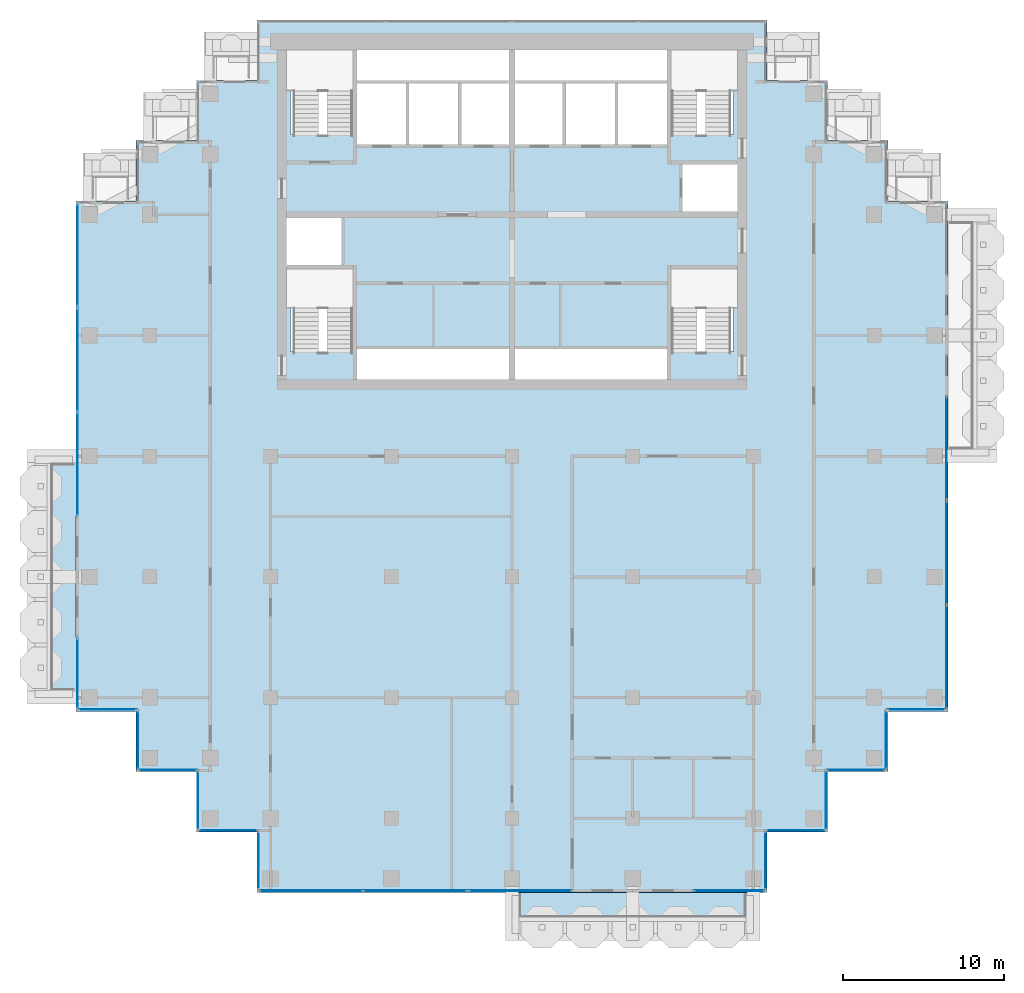
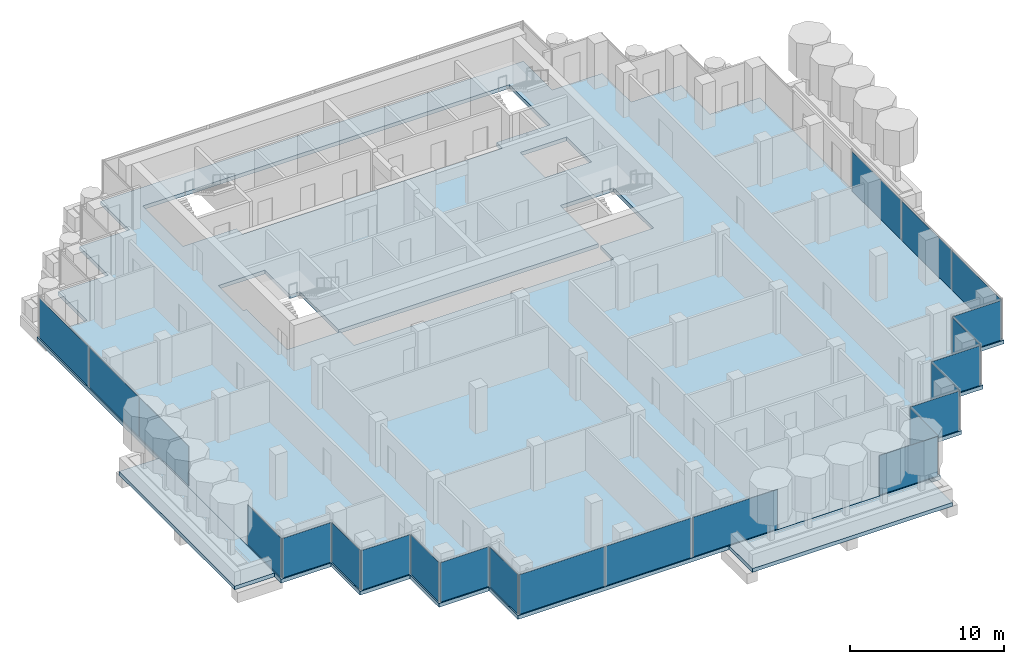
# One storey, part 8 of 18: 23 plates, 3 slabs, 20 elements without a shape of their own.
"""IFC4 building model written with IfcOpenShell, lengths in metres."""

from ifc_helpers import new_model, si_unit, direction, frame, origin, origin_2d, place, context, subcontext, project, spatial, polyline, rectangle, outline, extrude, material, layer, layer_set, type_object, element, aggregate, save


model = new_model("IFC4")

# Units and contexts
model_context = context("Model", 3, precision=1e-05, world=origin(), true_north=direction((0.0, 1.0)))
body_context = subcontext(model_context, "Body", "Model", "MODEL_VIEW")
ifc_project = project(units=[si_unit("LENGTHUNIT", "METRE"), si_unit("AREAUNIT", "SQUARE_METRE"), si_unit("VOLUMEUNIT", "CUBIC_METRE"), si_unit("PLANEANGLEUNIT", "RADIAN"), si_unit("MASSUNIT", "GRAM", prefix="KILO")], contexts=[model_context])

# Site, building, storey
site_placement = place(None, origin())
site = spatial("IfcSite", under=ifc_project, at=site_placement, CompositionType="ELEMENT")
building_placement = place(site_placement, origin())
building = spatial("IfcBuilding", under=site, at=building_placement, Name="Pilkhan Gate Tower", CompositionType="ELEMENT")
storey_placement = place(building_placement, frame((0.0, 0.0, 195.89990234375)))
storey = spatial("IfcBuildingStorey", under=building, at=storey_placement, Name="L50", CompositionType="ELEMENT", Elevation=195.89990234375)

# Slabs
ifc_material_1 = material(Name="Concrete C60/75", Category="concrete")
ifc_layer_1 = layer(ifc_material_1, 0.300048828125)
ifc_layer_set_1 = layer_set([ifc_layer_1], Name="Balcony tray slab TR300")
slab_type_1 = type_object("IfcSlabType", Name="Balcony tray slab TR300", PredefinedType="FLOOR", material=ifc_layer_set_1)
slab_1_placement = place(storey_placement, frame((0.0, 0.0, -0.2998046875)))
element("IfcSlab", 1, at=slab_1_placement, inside=storey, type_object=slab_type_1, Name="Balcony tray L50 S", PredefinedType="FLOOR", context=body_context, shape_type="SweptSolid", body=[
    extrude(outline(polyline([(90.0, 37.39990234375), (90.0, 40.39990234375), (75.0, 40.39990234375), (75.0, 37.39990234375), (90.0, 37.39990234375)])), origin(), (0.0, 0.0, 1.0), 0.2998046875),
])
slab_2_placement = place(storey_placement, frame((0.0, 0.0, -0.2998046875)))
element("IfcSlab", 2, at=slab_2_placement, inside=storey, type_object=slab_type_1, Name="Balcony tray L50 W", PredefinedType="FLOOR", context=body_context, shape_type="SweptSolid", body=[
    extrude(outline(polyline([(47.89990234375, 52.5), (47.89990234375, 67.5), (44.89990234375, 67.5), (44.89990234375, 52.5), (47.89990234375, 52.5)])), origin(), (0.0, 0.0, 1.0), 0.2998046875),
])
ifc_material_2 = material(Name="Concrete C40/50", Category="concrete")
ifc_layer_2 = layer(ifc_material_2, 0.300048828125)
ifc_layer_set_2 = layer_set([ifc_layer_2], Name="Flat plate slab FP300")
slab_type_2 = type_object("IfcSlabType", Name="Flat plate slab FP300", PredefinedType="FLOOR", material=ifc_layer_set_2)
slab_3_placement = place(storey_placement, frame((0.0, 0.0, -0.2998046875)))
element("IfcSlab", 3, at=slab_3_placement, inside=storey, type_object=slab_type_2, Name="Floor slab L50", PredefinedType="FLOOR", context=body_context, shape_type="SweptSolid", body=[
    extrude(outline(polyline([(98.35009765625, 47.89990234375), (94.60009765625, 47.89990234375), (94.60009765625, 44.14990234375), (90.85009765625, 44.14990234375), (90.85009765625, 40.39990234375), (59.14990234375, 40.39990234375), (59.14990234375, 44.14990234375), (55.39990234375, 44.14990234375), (55.39990234375, 47.89990234375), (51.64990234375, 47.89990234375), (51.64990234375, 51.64990234375), (47.89990234375, 51.64990234375), (47.89990234375, 83.35009765625), (51.64990234375, 83.35009765625), (51.64990234375, 87.10009765625), (55.39990234375, 87.10009765625), (55.39990234375, 90.85009765625), (59.14990234375, 90.85009765625), (59.14990234375, 94.60009765625), (90.85009765625, 94.60009765625), (90.85009765625, 90.85009765625), (94.60009765625, 90.85009765625), (94.60009765625, 87.10009765625), (98.35009765625, 87.10009765625), (98.35009765625, 83.35009765625), (102.10009765625, 83.35009765625), (102.10009765625, 51.64990234375), (98.35009765625, 51.64990234375), (98.35009765625, 47.89990234375)]), holes=[polyline([(75.0, 72.25), (84.75, 72.25), (84.75, 74.0), (88.75, 74.0), (88.75, 79.25), (84.75, 79.25), (84.75, 74.25), (75.0, 74.25), (65.25, 74.25), (65.25, 79.25), (64.5, 79.25), (64.5, 82.5), (61.25, 82.5), (61.0, 82.5), (61.0, 79.25), (61.25, 79.25), (61.25, 74.0), (65.25, 74.0), (65.25, 72.25), (75.0, 72.25)]), polyline([(68.5, 86.75), (71.75, 86.75), (75.0, 86.75), (78.25, 86.75), (81.5, 86.75), (84.75, 86.75), (84.75, 87.5), (88.75, 87.5), (88.75, 92.75), (84.75, 92.75), (75.0, 92.75), (65.25, 92.75), (61.25, 92.75), (61.25, 87.5), (65.25, 87.5), (65.25, 86.75), (68.5, 86.75)]), polyline([(85.5, 85.75), (85.5, 82.5), (88.75, 82.5), (89.0, 82.5), (89.0, 85.75), (88.75, 85.75), (85.5, 85.75)])]), origin(), (0.0, 0.0, 1.0), 0.2998046875),
])

# Curtain wall, plates
ifc_material_3 = material(Name="Pale anodised aluminium, clear low-iron double glazing", Category="aluminium")
curtain_wall_type = type_object("IfcCurtainWallType", Name="Office unitised curtain wall CW-O2", PredefinedType="USERDEFINED", material=ifc_material_3)
curtain_wall_1_placement = place(storey_placement, origin())
curtain_wall_1 = element("IfcCurtainWall", 4, at=curtain_wall_1_placement, inside=storey, type_object=curtain_wall_type, Name="Office unitised curtain wall CW-O2 L50 E", ObjectType="UNITISED CURTAIN WALL", PredefinedType="USERDEFINED")
ifc_material_4 = material(Name="Clear low-iron double glazing", Category="glass")
ifc_layer_3 = layer(ifc_material_4, 0.031982421875)
ifc_layer_set_3 = layer_set([ifc_layer_3], Name="Glass panel CW-O2 32")
plate_type = type_object("IfcPlateType", Name="Glass panel CW-O2 32", PredefinedType="CURTAIN_PANEL", material=ifc_layer_set_3)
plate_1_placement = place(storey_placement, frame((102.0, 55.016357421875, 0.0), z_axis=(0.0, 0.0, 1.0), x_axis=(0.0, 1.0, 0.0)))
plate_1 = element("IfcPlate", 5, at=plate_1_placement, type_object=plate_type, Name="CW-O2 panel 1", PredefinedType="CURTAIN_PANEL", context=body_context, shape_type="SweptSolid", body=[
    extrude(rectangle(XDim=6.402587890625, YDim=0.031982421875, at=origin_2d()), origin(), (0.0, 0.0, 1.0), 3.135009765625),
])
plate_2_placement = place(storey_placement, frame((102.0, 61.483642578125, 0.0), z_axis=(0.0, 0.0, 1.0), x_axis=(0.0, 1.0, 0.0)))
plate_2 = element("IfcPlate", 6, at=plate_2_placement, type_object=plate_type, Name="CW-O2 panel 2", PredefinedType="CURTAIN_PANEL", context=body_context, shape_type="SweptSolid", body=[
    extrude(rectangle(XDim=6.402587890625, YDim=0.031982421875, at=origin_2d()), origin(), (0.0, 0.0, 1.0), 3.135009765625),
])
aggregate(curtain_wall_1, [plate_1, plate_2])

# Curtain wall, plate
curtain_wall_2_placement = place(storey_placement, origin())
curtain_wall_2 = element("IfcCurtainWall", 7, at=curtain_wall_2_placement, inside=storey, type_object=curtain_wall_type, Name="Office unitised curtain wall CW-O2 L50 E", ObjectType="UNITISED CURTAIN WALL", PredefinedType="USERDEFINED")
plate_3_placement = place(storey_placement, frame((102.0, 68.0, 0.0), z_axis=(0.0, 0.0, 1.0), x_axis=(0.0, 1.0, 0.0)))
plate_3 = element("IfcPlate", 8, at=plate_3_placement, type_object=plate_type, Name="CW-O2 panel 1", PredefinedType="CURTAIN_PANEL", context=body_context, shape_type="SweptSolid", body=[
    extrude(rectangle(XDim=6.3701171875, YDim=0.031982421875, at=origin_2d()), origin(), (0.0, 0.0, 1.0), 3.135009765625),
])
aggregate(curtain_wall_2, [plate_3])

curtain_wall_3_placement = place(storey_placement, origin())
curtain_wall_3 = element("IfcCurtainWall", 9, at=curtain_wall_3_placement, inside=storey, type_object=curtain_wall_type, Name="Office unitised curtain wall CW-O2 L50 W", ObjectType="UNITISED CURTAIN WALL", PredefinedType="USERDEFINED")
plate_4_placement = place(storey_placement, frame((48.0, 54.0, 0.0), z_axis=(0.0, 0.0, 1.0), x_axis=(0.0, 1.0, 0.0)))
plate_4 = element("IfcPlate", 10, at=plate_4_placement, type_object=plate_type, Name="CW-O2 panel 1", PredefinedType="CURTAIN_PANEL", context=body_context, shape_type="SweptSolid", body=[
    extrude(rectangle(XDim=4.3701171875, YDim=0.031982421875, at=origin_2d()), origin(), (0.0, 0.0, 1.0), 3.135009765625),
])
aggregate(curtain_wall_3, [plate_4])

# Curtain wall, plates
curtain_wall_4_placement = place(storey_placement, origin())
curtain_wall_4 = element("IfcCurtainWall", 11, at=curtain_wall_4_placement, inside=storey, type_object=curtain_wall_type, Name="Office unitised curtain wall CW-O2 L50 W", ObjectType="UNITISED CURTAIN WALL", PredefinedType="USERDEFINED")
plate_5_placement = place(storey_placement, frame((48.0, 67.016357421875, 0.0), z_axis=(0.0, 0.0, 1.0), x_axis=(0.0, 1.0, 0.0)))
plate_5 = element("IfcPlate", 12, at=plate_5_placement, type_object=plate_type, Name="CW-O2 panel 1", PredefinedType="CURTAIN_PANEL", context=body_context, shape_type="SweptSolid", body=[
    extrude(rectangle(XDim=6.402587890625, YDim=0.031982421875, at=origin_2d()), origin(), (0.0, 0.0, 1.0), 3.135009765625),
])
plate_6_placement = place(storey_placement, frame((48.0, 73.483642578125, 0.0), z_axis=(0.0, 0.0, 1.0), x_axis=(0.0, 1.0, 0.0)))
plate_6 = element("IfcPlate", 13, at=plate_6_placement, type_object=plate_type, Name="CW-O2 panel 2", PredefinedType="CURTAIN_PANEL", context=body_context, shape_type="SweptSolid", body=[
    extrude(rectangle(XDim=6.402587890625, YDim=0.031982421875, at=origin_2d()), origin(), (0.0, 0.0, 1.0), 3.135009765625),
])
aggregate(curtain_wall_4, [plate_5, plate_6])

# Curtain wall, plate
curtain_wall_5_placement = place(storey_placement, origin())
curtain_wall_5 = element("IfcCurtainWall", 14, at=curtain_wall_5_placement, inside=storey, type_object=curtain_wall_type, Name="Office unitised curtain wall CW-O2 L50 W", ObjectType="UNITISED CURTAIN WALL", PredefinedType="USERDEFINED")
plate_7_placement = place(storey_placement, frame((48.0, 80.0, 0.0), z_axis=(0.0, 0.0, 1.0), x_axis=(0.0, 1.0, 0.0)))
plate_7 = element("IfcPlate", 15, at=plate_7_placement, type_object=plate_type, Name="CW-O2 panel 1", PredefinedType="CURTAIN_PANEL", context=body_context, shape_type="SweptSolid", body=[
    extrude(rectangle(XDim=6.3701171875, YDim=0.031982421875, at=origin_2d()), origin(), (0.0, 0.0, 1.0), 3.135009765625),
])
aggregate(curtain_wall_5, [plate_7])

curtain_wall_6_placement = place(storey_placement, origin())
curtain_wall_6 = element("IfcCurtainWall", 16, at=curtain_wall_6_placement, inside=storey, type_object=curtain_wall_type, Name="Office unitised curtain wall CW-O2 L50 S", ObjectType="UNITISED CURTAIN WALL", PredefinedType="USERDEFINED")
plate_8_placement = place(storey_placement, frame((49.875, 51.75, 0.0), z_axis=(0.0, 0.0, 1.0), x_axis=(1.0, 0.0, 0.0)))
plate_8 = element("IfcPlate", 17, at=plate_8_placement, type_object=plate_type, Name="CW-O2 panel 1", PredefinedType="CURTAIN_PANEL", context=body_context, shape_type="SweptSolid", body=[
    extrude(rectangle(XDim=3.6201171875, YDim=0.031982421875, at=origin_2d()), origin(), (0.0, 0.0, 1.0), 3.135009765625),
])
aggregate(curtain_wall_6, [plate_8])

curtain_wall_7_placement = place(storey_placement, origin())
curtain_wall_7 = element("IfcCurtainWall", 18, at=curtain_wall_7_placement, inside=storey, type_object=curtain_wall_type, Name="Office unitised curtain wall CW-O2 L50 W", ObjectType="UNITISED CURTAIN WALL", PredefinedType="USERDEFINED")
plate_9_placement = place(storey_placement, frame((51.75, 49.875, 0.0), z_axis=(0.0, 0.0, 1.0), x_axis=(0.0, 1.0, 0.0)))
plate_9 = element("IfcPlate", 19, at=plate_9_placement, type_object=plate_type, Name="CW-O2 panel 1", PredefinedType="CURTAIN_PANEL", context=body_context, shape_type="SweptSolid", body=[
    extrude(rectangle(XDim=3.6201171875, YDim=0.031982421875, at=origin_2d()), origin(), (0.0, 0.0, 1.0), 3.135009765625),
])
aggregate(curtain_wall_7, [plate_9])

curtain_wall_8_placement = place(storey_placement, origin())
curtain_wall_8 = element("IfcCurtainWall", 20, at=curtain_wall_8_placement, inside=storey, type_object=curtain_wall_type, Name="Office unitised curtain wall CW-O2 L50 S", ObjectType="UNITISED CURTAIN WALL", PredefinedType="USERDEFINED")
plate_10_placement = place(storey_placement, frame((53.625, 48.0, 0.0), z_axis=(0.0, 0.0, 1.0), x_axis=(1.0, 0.0, 0.0)))
plate_10 = element("IfcPlate", 21, at=plate_10_placement, type_object=plate_type, Name="CW-O2 panel 1", PredefinedType="CURTAIN_PANEL", context=body_context, shape_type="SweptSolid", body=[
    extrude(rectangle(XDim=3.6201171875, YDim=0.031982421875, at=origin_2d()), origin(), (0.0, 0.0, 1.0), 3.135009765625),
])
aggregate(curtain_wall_8, [plate_10])

curtain_wall_9_placement = place(storey_placement, origin())
curtain_wall_9 = element("IfcCurtainWall", 22, at=curtain_wall_9_placement, inside=storey, type_object=curtain_wall_type, Name="Office unitised curtain wall CW-O2 L50 W", ObjectType="UNITISED CURTAIN WALL", PredefinedType="USERDEFINED")
plate_11_placement = place(storey_placement, frame((55.5, 46.125, 0.0), z_axis=(0.0, 0.0, 1.0), x_axis=(0.0, 1.0, 0.0)))
plate_11 = element("IfcPlate", 23, at=plate_11_placement, type_object=plate_type, Name="CW-O2 panel 1", PredefinedType="CURTAIN_PANEL", context=body_context, shape_type="SweptSolid", body=[
    extrude(rectangle(XDim=3.6201171875, YDim=0.031982421875, at=origin_2d()), origin(), (0.0, 0.0, 1.0), 3.135009765625),
])
aggregate(curtain_wall_9, [plate_11])

curtain_wall_10_placement = place(storey_placement, origin())
curtain_wall_10 = element("IfcCurtainWall", 24, at=curtain_wall_10_placement, inside=storey, type_object=curtain_wall_type, Name="Office unitised curtain wall CW-O2 L50 S", ObjectType="UNITISED CURTAIN WALL", PredefinedType="USERDEFINED")
plate_12_placement = place(storey_placement, frame((57.375, 44.25, 0.0), z_axis=(0.0, 0.0, 1.0), x_axis=(1.0, 0.0, 0.0)))
plate_12 = element("IfcPlate", 25, at=plate_12_placement, type_object=plate_type, Name="CW-O2 panel 1", PredefinedType="CURTAIN_PANEL", context=body_context, shape_type="SweptSolid", body=[
    extrude(rectangle(XDim=3.6201171875, YDim=0.031982421875, at=origin_2d()), origin(), (0.0, 0.0, 1.0), 3.135009765625),
])
aggregate(curtain_wall_10, [plate_12])

curtain_wall_11_placement = place(storey_placement, origin())
curtain_wall_11 = element("IfcCurtainWall", 26, at=curtain_wall_11_placement, inside=storey, type_object=curtain_wall_type, Name="Office unitised curtain wall CW-O2 L50 W", ObjectType="UNITISED CURTAIN WALL", PredefinedType="USERDEFINED")
plate_13_placement = place(storey_placement, frame((59.25, 42.375, 0.0), z_axis=(0.0, 0.0, 1.0), x_axis=(0.0, 1.0, 0.0)))
plate_13 = element("IfcPlate", 27, at=plate_13_placement, type_object=plate_type, Name="CW-O2 panel 1", PredefinedType="CURTAIN_PANEL", context=body_context, shape_type="SweptSolid", body=[
    extrude(rectangle(XDim=3.6201171875, YDim=0.031982421875, at=origin_2d()), origin(), (0.0, 0.0, 1.0), 3.135009765625),
])
aggregate(curtain_wall_11, [plate_13])

# Curtain wall, plates
curtain_wall_12_placement = place(storey_placement, origin())
curtain_wall_12 = element("IfcCurtainWall", 28, at=curtain_wall_12_placement, inside=storey, type_object=curtain_wall_type, Name="Office unitised curtain wall CW-O2 L50 S", ObjectType="UNITISED CURTAIN WALL", PredefinedType="USERDEFINED")
plate_14_placement = place(storey_placement, frame((62.516357421875, 40.5, 0.0), z_axis=(0.0, 0.0, 1.0), x_axis=(1.0, 0.0, 0.0)))
plate_14 = element("IfcPlate", 29, at=plate_14_placement, type_object=plate_type, Name="CW-O2 panel 1", PredefinedType="CURTAIN_PANEL", context=body_context, shape_type="SweptSolid", body=[
    extrude(rectangle(XDim=6.402587890625, YDim=0.031982421875, at=origin_2d()), origin(), (0.0, 0.0, 1.0), 3.135009765625),
])
plate_15_placement = place(storey_placement, frame((68.983642578125, 40.5, 0.0), z_axis=(0.0, 0.0, 1.0), x_axis=(1.0, 0.0, 0.0)))
plate_15 = element("IfcPlate", 30, at=plate_15_placement, type_object=plate_type, Name="CW-O2 panel 2", PredefinedType="CURTAIN_PANEL", context=body_context, shape_type="SweptSolid", body=[
    extrude(rectangle(XDim=6.402587890625, YDim=0.031982421875, at=origin_2d()), origin(), (0.0, 0.0, 1.0), 3.135009765625),
])
aggregate(curtain_wall_12, [plate_14, plate_15])

# Curtain wall, plate
curtain_wall_13_placement = place(storey_placement, origin())
curtain_wall_13 = element("IfcCurtainWall", 31, at=curtain_wall_13_placement, inside=storey, type_object=curtain_wall_type, Name="Office unitised curtain wall CW-O2 L50 S", ObjectType="UNITISED CURTAIN WALL", PredefinedType="USERDEFINED")
plate_16_placement = place(storey_placement, frame((75.5, 40.5, 0.0), z_axis=(0.0, 0.0, 1.0), x_axis=(1.0, 0.0, 0.0)))
plate_16 = element("IfcPlate", 32, at=plate_16_placement, type_object=plate_type, Name="CW-O2 panel 1", PredefinedType="CURTAIN_PANEL", context=body_context, shape_type="SweptSolid", body=[
    extrude(rectangle(XDim=6.3701171875, YDim=0.031982421875, at=origin_2d()), origin(), (0.0, 0.0, 1.0), 3.135009765625),
])
aggregate(curtain_wall_13, [plate_16])

curtain_wall_14_placement = place(storey_placement, origin())
curtain_wall_14 = element("IfcCurtainWall", 33, at=curtain_wall_14_placement, inside=storey, type_object=curtain_wall_type, Name="Office unitised curtain wall CW-O2 L50 S", ObjectType="UNITISED CURTAIN WALL", PredefinedType="USERDEFINED")
plate_17_placement = place(storey_placement, frame((88.5, 40.5, 0.0), z_axis=(0.0, 0.0, 1.0), x_axis=(1.0, 0.0, 0.0)))
plate_17 = element("IfcPlate", 34, at=plate_17_placement, type_object=plate_type, Name="CW-O2 panel 1", PredefinedType="CURTAIN_PANEL", context=body_context, shape_type="SweptSolid", body=[
    extrude(rectangle(XDim=4.3701171875, YDim=0.031982421875, at=origin_2d()), origin(), (0.0, 0.0, 1.0), 3.135009765625),
])
aggregate(curtain_wall_14, [plate_17])

curtain_wall_15_placement = place(storey_placement, origin())
curtain_wall_15 = element("IfcCurtainWall", 35, at=curtain_wall_15_placement, inside=storey, type_object=curtain_wall_type, Name="Office unitised curtain wall CW-O2 L50 E", ObjectType="UNITISED CURTAIN WALL", PredefinedType="USERDEFINED")
plate_18_placement = place(storey_placement, frame((90.75, 42.375, 0.0), z_axis=(0.0, 0.0, 1.0), x_axis=(0.0, 1.0, 0.0)))
plate_18 = element("IfcPlate", 36, at=plate_18_placement, type_object=plate_type, Name="CW-O2 panel 1", PredefinedType="CURTAIN_PANEL", context=body_context, shape_type="SweptSolid", body=[
    extrude(rectangle(XDim=3.6201171875, YDim=0.031982421875, at=origin_2d()), origin(), (0.0, 0.0, 1.0), 3.135009765625),
])
aggregate(curtain_wall_15, [plate_18])

curtain_wall_16_placement = place(storey_placement, origin())
curtain_wall_16 = element("IfcCurtainWall", 37, at=curtain_wall_16_placement, inside=storey, type_object=curtain_wall_type, Name="Office unitised curtain wall CW-O2 L50 S", ObjectType="UNITISED CURTAIN WALL", PredefinedType="USERDEFINED")
plate_19_placement = place(storey_placement, frame((92.625, 44.25, 0.0), z_axis=(0.0, 0.0, 1.0), x_axis=(1.0, 0.0, 0.0)))
plate_19 = element("IfcPlate", 38, at=plate_19_placement, type_object=plate_type, Name="CW-O2 panel 1", PredefinedType="CURTAIN_PANEL", context=body_context, shape_type="SweptSolid", body=[
    extrude(rectangle(XDim=3.6201171875, YDim=0.031982421875, at=origin_2d()), origin(), (0.0, 0.0, 1.0), 3.135009765625),
])
aggregate(curtain_wall_16, [plate_19])

curtain_wall_17_placement = place(storey_placement, origin())
curtain_wall_17 = element("IfcCurtainWall", 39, at=curtain_wall_17_placement, inside=storey, type_object=curtain_wall_type, Name="Office unitised curtain wall CW-O2 L50 E", ObjectType="UNITISED CURTAIN WALL", PredefinedType="USERDEFINED")
plate_20_placement = place(storey_placement, frame((94.5, 46.125, 0.0), z_axis=(0.0, 0.0, 1.0), x_axis=(0.0, 1.0, 0.0)))
plate_20 = element("IfcPlate", 40, at=plate_20_placement, type_object=plate_type, Name="CW-O2 panel 1", PredefinedType="CURTAIN_PANEL", context=body_context, shape_type="SweptSolid", body=[
    extrude(rectangle(XDim=3.6201171875, YDim=0.031982421875, at=origin_2d()), origin(), (0.0, 0.0, 1.0), 3.135009765625),
])
aggregate(curtain_wall_17, [plate_20])

curtain_wall_18_placement = place(storey_placement, origin())
curtain_wall_18 = element("IfcCurtainWall", 41, at=curtain_wall_18_placement, inside=storey, type_object=curtain_wall_type, Name="Office unitised curtain wall CW-O2 L50 S", ObjectType="UNITISED CURTAIN WALL", PredefinedType="USERDEFINED")
plate_21_placement = place(storey_placement, frame((96.375, 48.0, 0.0), z_axis=(0.0, 0.0, 1.0), x_axis=(1.0, 0.0, 0.0)))
plate_21 = element("IfcPlate", 42, at=plate_21_placement, type_object=plate_type, Name="CW-O2 panel 1", PredefinedType="CURTAIN_PANEL", context=body_context, shape_type="SweptSolid", body=[
    extrude(rectangle(XDim=3.6201171875, YDim=0.031982421875, at=origin_2d()), origin(), (0.0, 0.0, 1.0), 3.135009765625),
])
aggregate(curtain_wall_18, [plate_21])

curtain_wall_19_placement = place(storey_placement, origin())
curtain_wall_19 = element("IfcCurtainWall", 43, at=curtain_wall_19_placement, inside=storey, type_object=curtain_wall_type, Name="Office unitised curtain wall CW-O2 L50 E", ObjectType="UNITISED CURTAIN WALL", PredefinedType="USERDEFINED")
plate_22_placement = place(storey_placement, frame((98.25, 49.875, 0.0), z_axis=(0.0, 0.0, 1.0), x_axis=(0.0, 1.0, 0.0)))
plate_22 = element("IfcPlate", 44, at=plate_22_placement, type_object=plate_type, Name="CW-O2 panel 1", PredefinedType="CURTAIN_PANEL", context=body_context, shape_type="SweptSolid", body=[
    extrude(rectangle(XDim=3.6201171875, YDim=0.031982421875, at=origin_2d()), origin(), (0.0, 0.0, 1.0), 3.135009765625),
])
aggregate(curtain_wall_19, [plate_22])

curtain_wall_20_placement = place(storey_placement, origin())
curtain_wall_20 = element("IfcCurtainWall", 45, at=curtain_wall_20_placement, inside=storey, type_object=curtain_wall_type, Name="Office unitised curtain wall CW-O2 L50 S", ObjectType="UNITISED CURTAIN WALL", PredefinedType="USERDEFINED")
plate_23_placement = place(storey_placement, frame((100.125, 51.75, 0.0), z_axis=(0.0, 0.0, 1.0), x_axis=(1.0, 0.0, 0.0)))
plate_23 = element("IfcPlate", 46, at=plate_23_placement, type_object=plate_type, Name="CW-O2 panel 1", PredefinedType="CURTAIN_PANEL", context=body_context, shape_type="SweptSolid", body=[
    extrude(rectangle(XDim=3.6201171875, YDim=0.031982421875, at=origin_2d()), origin(), (0.0, 0.0, 1.0), 3.135009765625),
])
aggregate(curtain_wall_20, [plate_23])

save(model, "model.ifc")
